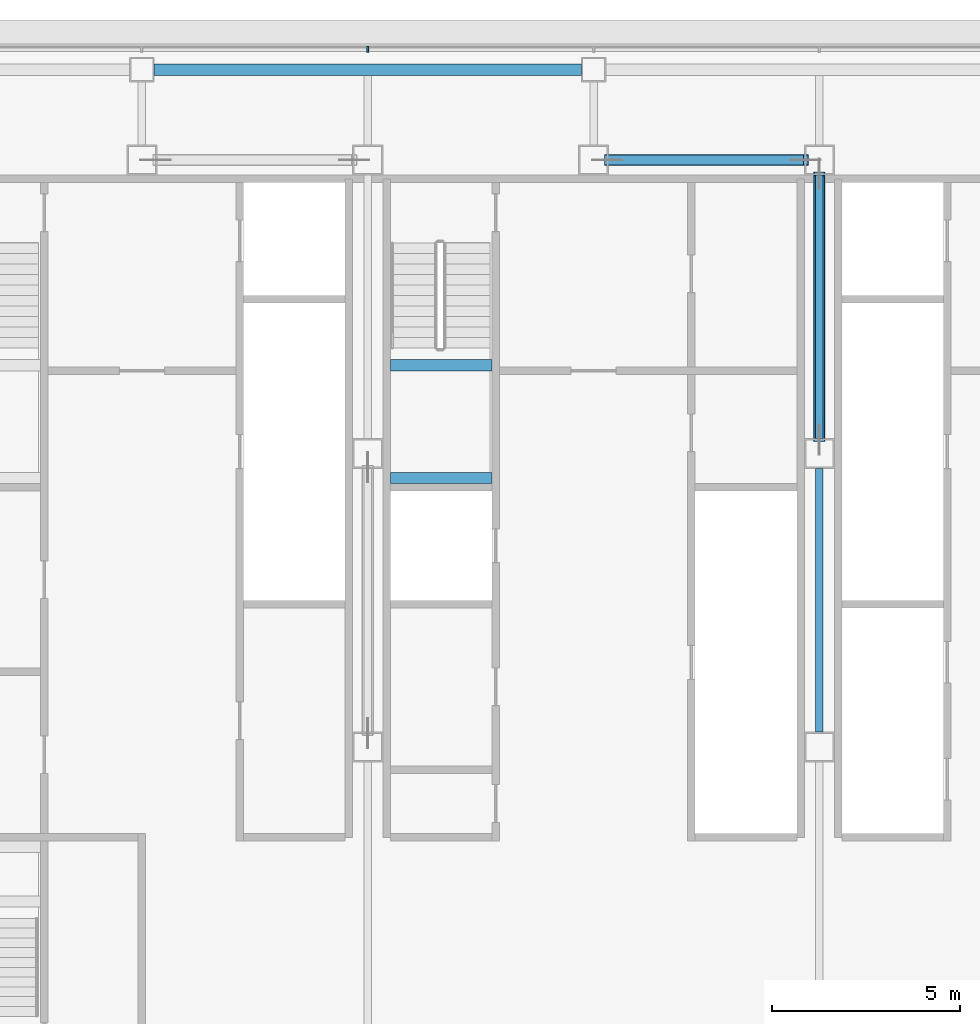
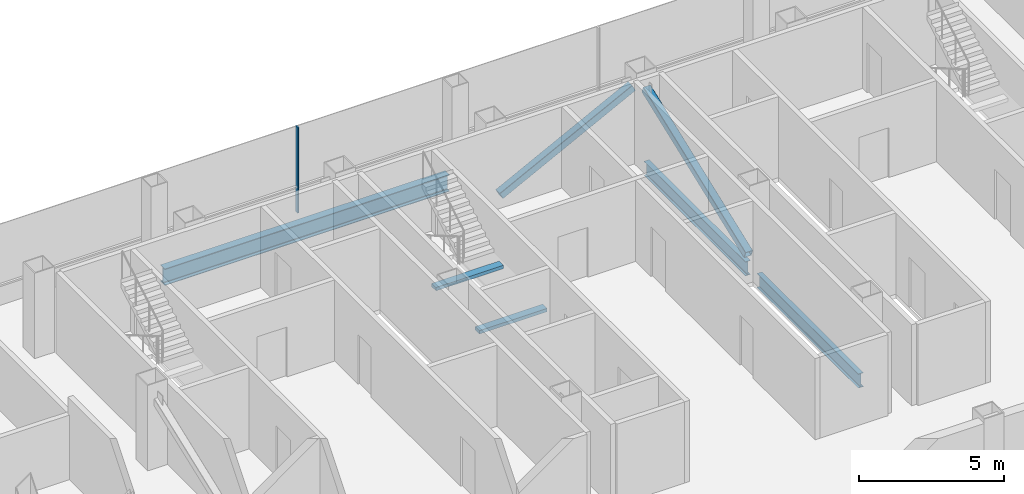
# One storey, part 13 of 26: 5 beams, 3 members, 1 element without a shape of its own.
"""IFC4 building model written with IfcOpenShell, lengths in metres."""

from ifc_helpers import new_model, si_unit, direction, frame, origin, origin_2d, place, context, subcontext, project, spatial, rectangle, hollow_rectangle, i_section, extrude, material, material_profile, profile_set, type_object, element, aggregate, save


model = new_model("IFC4")

# Units and contexts
model_context = context("Model", 3, precision=1e-05, world=origin(), true_north=direction((0.0, 1.0)))
body_context = subcontext(model_context, "Body", "Model", "MODEL_VIEW")
ifc_project = project(units=[si_unit("LENGTHUNIT", "METRE"), si_unit("AREAUNIT", "SQUARE_METRE"), si_unit("VOLUMEUNIT", "CUBIC_METRE"), si_unit("PLANEANGLEUNIT", "RADIAN"), si_unit("MASSUNIT", "GRAM", prefix="KILO")], contexts=[model_context])

# Site, building, storey
site_placement = place(None, origin())
site = spatial("IfcSite", under=ifc_project, at=site_placement, CompositionType="ELEMENT")
building_placement = place(site_placement, origin())
building = spatial("IfcBuilding", under=site, at=building_placement, Name="Sorahane Residences", CompositionType="ELEMENT")
storey_placement = place(building_placement, frame((0.0, 0.0, 222.60009765625)))
storey = spatial("IfcBuildingStorey", under=building, at=storey_placement, Name="L52", CompositionType="ELEMENT", Elevation=222.60009765625)

# Members
ifc_material_1 = material(Name="Steel Q355B", Category="steel")
ifc_material_profile_1 = material_profile(ifc_material_1, hollow_rectangle(XDim=0.300048828125, YDim=0.300048828125, WallThickness=0.01611328125, InnerFilletRadius=0.008056640625, OuterFilletRadius=0.02392578125, at=origin_2d()), Name="RHS 300x300x16")
ifc_profile_set_1 = profile_set([ifc_material_profile_1], Name="Steel Q355B")
member_type_1 = type_object("IfcMemberType", Name="Core brace RHS 300x300x16 Q355B", PredefinedType="BRACE", material=ifc_profile_set_1)
member_1_placement = place(storey_placement, frame((24.35888671875, 45.60009765625, 0.12890625), z_axis=(0.889590046837, 0.0, 0.45675983686), x_axis=(0.0, 1.0, 0.0)))
element("IfcMember", 1, at=member_1_placement, inside=storey, type_object=member_type_1, Name="Core brace L52 y45.6-4", PredefinedType="BRACE", context=body_context, shape_type="SweptSolid", body=[
    extrude(hollow_rectangle(XDim=0.300048828125, YDim=0.300048828125, WallThickness=0.01611328125, InnerFilletRadius=0.008056640625, OuterFilletRadius=0.02392578125, at=origin_2d()), origin(), (0.0, 0.0, 1.0), 5.937744140625),
])
member_2_placement = place(storey_placement, frame((30.0, 38.16796875, 0.1376953125), z_axis=(0.0, 0.934346475268, 0.35636591329), x_axis=(-1.0, 0.0, 0.0)))
element("IfcMember", 2, at=member_2_placement, inside=storey, type_object=member_type_1, Name="Core brace L52 x30-2", PredefinedType="BRACE", context=body_context, shape_type="SweptSolid", body=[
    extrude(hollow_rectangle(XDim=0.300048828125, YDim=0.300048828125, WallThickness=0.01611328125, InnerFilletRadius=0.008056640625, OuterFilletRadius=0.02392578125, at=origin_2d()), origin(), (0.0, 0.0, 1.0), 7.560546875),
])

# Curtain wall, member
ifc_material_2 = material(Name="Dark low-e glass and black anodised aluminium", Category="aluminium")
curtain_wall_type = type_object("IfcCurtainWallType", Name="Curtain wall CW-1 Typical unitised wall", PredefinedType="NOTDEFINED", material=ifc_material_2)
curtain_wall_placement = place(storey_placement, origin())
curtain_wall = element("IfcCurtainWall", 3, at=curtain_wall_placement, inside=storey, type_object=curtain_wall_type, Name="CW-1 curtain wall L52 N1", PredefinedType="NOTDEFINED")
ifc_material_3 = material(Name="Black anodised aluminium", Category="aluminium")
ifc_material_profile_2 = material_profile(ifc_material_3, rectangle(XDim=0.159912109375, YDim=0.050048828125, at=origin_2d()), Name="Curtain wall mullion CW-1 black anodised aluminium 50x160")
ifc_profile_set_2 = profile_set([ifc_material_profile_2], Name="Black anodised aluminium")
member_type_2 = type_object("IfcMemberType", Name="Curtain wall mullion CW-1 black anodised aluminium 50x160", PredefinedType="MULLION", material=ifc_profile_set_2)
member_3_placement = place(storey_placement, frame((18.0, 48.5400390625, -0.18017578125), z_axis=(0.0, 0.0, 1.0), x_axis=(0.0, 1.0, 0.0)))
member_3 = element("IfcMember", 4, at=member_3_placement, type_object=member_type_2, Name="CW-1 mullion L52 N1.6", PredefinedType="MULLION", context=body_context, shape_type="SweptSolid", body=[
    extrude(rectangle(XDim=0.159912109375, YDim=0.050048828125, at=origin_2d()), origin(), (0.0, 0.0, 1.0), 3.60009765625),
])
aggregate(curtain_wall, [member_3])

# Beams
ifc_material_4 = material(Name="Concrete C40", Category="concrete")
ifc_material_profile_3 = material_profile(ifc_material_4, rectangle(XDim=0.300048828125, YDim=0.139892578125, at=origin_2d()), Name="300x140")
ifc_profile_set_3 = profile_set([ifc_material_profile_3], Name="Concrete C40")
beam_type_1 = type_object("IfcBeamType", Name="RC landing beam 300 x 140 Concrete C40", PredefinedType="BEAM", material=ifc_profile_set_3)
for number, where, z_axis, x_axis, name in (
    (5, (18.60009765625, 37.14990234375, 1.52978515625), (1.0, 0.0, 0.0), (0.0, 1.0, 0.0), "Landing beam"),
    (6, (18.60009765625, 40.14990234375, 1.52978515625), (1.0, 0.0, 0.0), (0.0, 1.0, 0.0), "Landing beam"),
):
    element("IfcBeam", number, at=place(storey_placement, frame(where, z_axis=z_axis, x_axis=x_axis)), inside=storey, type_object=beam_type_1, Name=name, PredefinedType="BEAM", context=body_context, shape_type="SweptSolid", body=[
        extrude(rectangle(XDim=0.300048828125, YDim=0.139892578125, at=origin_2d()), origin(), (0.0, 0.0, 1.0), 2.699951171875),
    ])
ifc_material_5 = material(Name="Steel Q355B", Category="steel")
ifc_material_profile_4 = material_profile(ifc_material_5, i_section(OverallWidth=0.199951171875, OverallDepth=0.60009765625, WebThickness=0.010986328125, FlangeThickness=0.01708984375, FilletRadius=0.02392578125, at=origin_2d()), Name="HN 600x200x11x17")
ifc_profile_set_4 = profile_set([ifc_material_profile_4], Name="Steel Q355B")
beam_type_2 = type_object("IfcBeamType", Name="Steel floor beam HN 600x200x11x17 Q355B", PredefinedType="BEAM", material=ifc_profile_set_4)
for number, where, z_axis, x_axis, name in (
    (7, (30.0, 30.39990234375, -0.47998046875), (0.0, 1.0, 0.0), (-1.0, 0.0, 0.0), "Beam L52 047"),
    (8, (30.0, 38.199951171875, -0.47998046875), (0.0, 1.0, 0.0), (-1.0, 0.0, 0.0), "Beam L52 048"),
):
    element("IfcBeam", number, at=place(storey_placement, frame(where, z_axis=z_axis, x_axis=x_axis)), inside=storey, type_object=beam_type_2, Name=name, PredefinedType="BEAM", context=body_context, shape_type="SweptSolid", body=[
        extrude(i_section(OverallWidth=0.199951171875, OverallDepth=0.60009765625, WebThickness=0.010986328125, FlangeThickness=0.01708984375, FilletRadius=0.02392578125, at=origin_2d()), origin(), (0.0, 0.0, 1.0), 7.0),
    ])
ifc_material_6 = material(Name="Steel Q355B", Category="steel")
ifc_material_profile_5 = material_profile(ifc_material_6, i_section(OverallWidth=0.300048828125, OverallDepth=0.699951171875, WebThickness=0.012939453125, FlangeThickness=0.02392578125, FilletRadius=0.028076171875, at=origin_2d()), Name="HN 700x300x13x24")
ifc_profile_set_5 = profile_set([ifc_material_profile_5], Name="Steel Q355B")
beam_type_3 = type_object("IfcBeamType", Name="Steel floor beam HN 700x300x13x24 Q355B", PredefinedType="BEAM", material=ifc_profile_set_5)
beam_placement = place(storey_placement, frame((12.324951171875, 48.0, -0.530029296875), z_axis=(1.0, 0.0, 0.0), x_axis=(0.0, 1.0, 0.0)))
element("IfcBeam", 9, at=beam_placement, inside=storey, type_object=beam_type_3, Name="Beam L52 017", PredefinedType="BEAM", context=body_context, shape_type="SweptSolid", body=[
    extrude(i_section(OverallWidth=0.300048828125, OverallDepth=0.699951171875, WebThickness=0.012939453125, FlangeThickness=0.02392578125, FilletRadius=0.028076171875, at=origin_2d()), origin(), (0.0, 0.0, 1.0), 11.35009765625),
])

save(model, "model.ifc")
